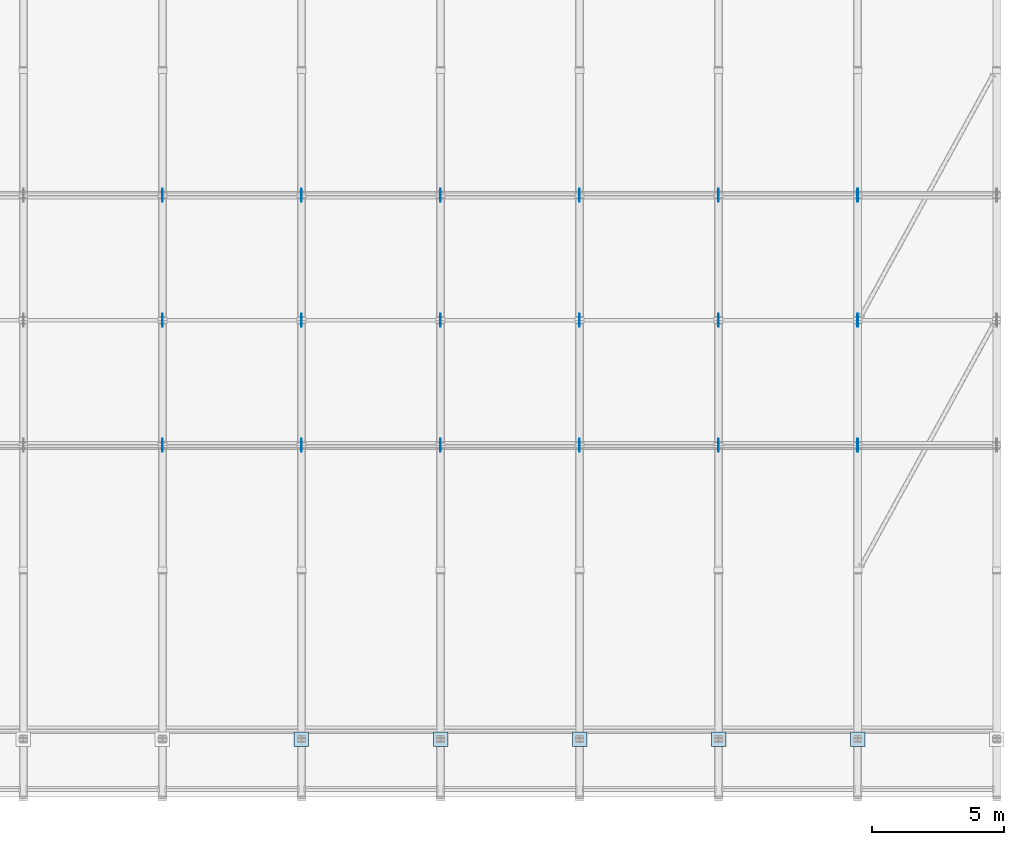
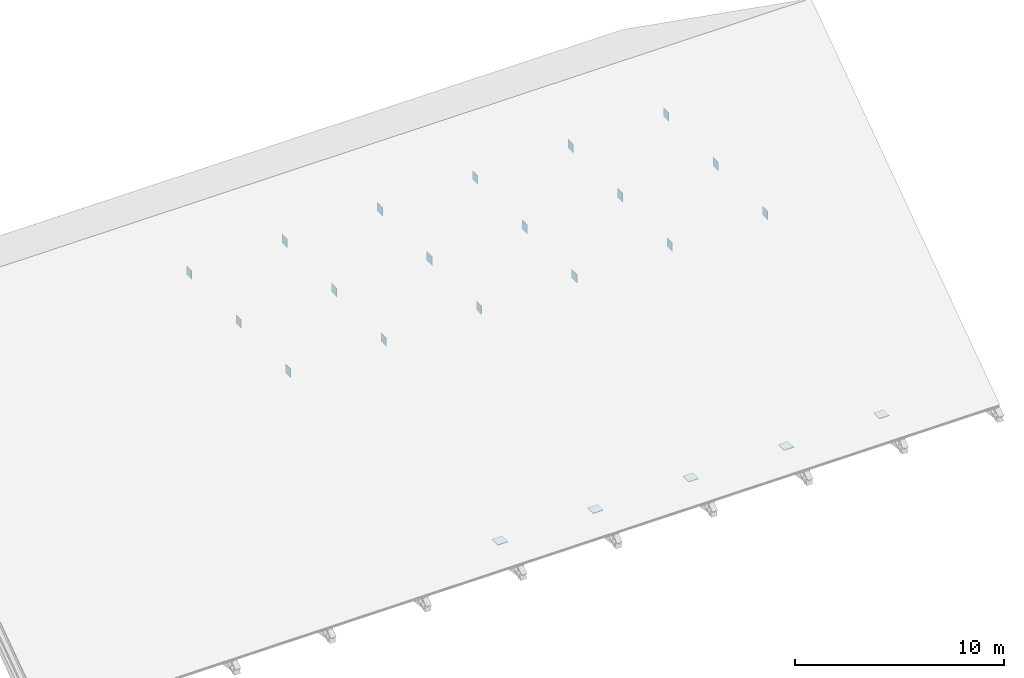
# One storey, part 35 of 57: 23 plates.
"""IFC4 building model written with IfcOpenShell, lengths in metres."""

from ifc_helpers import new_model, si_unit, direction, frame, origin, origin_2d, place, context, subcontext, project, spatial, rectangle, extrude, material, layer, layer_set, type_object, element, save


model = new_model("IFC4")

# Units and contexts
model_context = context("Model", 3, precision=1e-05, world=origin(), true_north=direction((0.0, 1.0)))
body_context = subcontext(model_context, "Body", "Model", "MODEL_VIEW")
ifc_project = project(units=[si_unit("LENGTHUNIT", "METRE"), si_unit("AREAUNIT", "SQUARE_METRE"), si_unit("VOLUMEUNIT", "CUBIC_METRE"), si_unit("PLANEANGLEUNIT", "RADIAN"), si_unit("MASSUNIT", "GRAM", prefix="KILO")], contexts=[model_context])

# Site, building, storey
site_placement = place(None, origin())
site = spatial("IfcSite", under=ifc_project, at=site_placement, CompositionType="ELEMENT")
building_placement = place(site_placement, origin())
building = spatial("IfcBuilding", under=site, at=building_placement, Name="Kelarvand Opera House", CompositionType="ELEMENT")
storey_placement = place(building_placement, frame((0.0, 0.0, 33.60009765625)))
storey = spatial("IfcBuildingStorey", under=building, at=storey_placement, Name="Roof", CompositionType="ELEMENT", Elevation=33.60009765625)

# Plates
ifc_material = material(Name="Steel S355", Category="steel")
ifc_layer_1 = layer(ifc_material, 0.035888671875, Name="Steel S355", Category="steel")
ifc_layer_set_1 = layer_set([ifc_layer_1], Name="Steel S355")
plate_type_1 = type_object("IfcPlateType", Name="Steel Truss Bearing Base Plate 36mm", PredefinedType="USERDEFINED", material=ifc_layer_set_1)
for number, where, z_axis, x_axis, name in (
    (1, (115.39990234375, 46.60009765625, -9.60009765625), (0.0, 0.0, 1.0), (1.0, 0.0, 0.0), "V1 Roof Truss Bearing Plate 6S"),
    (2, (120.679931640625, 46.60009765625, -9.60009765625), (0.0, 0.0, 1.0), (1.0, 0.0, 0.0), "V1 Roof Truss Bearing Plate 7S"),
    (3, (125.9599609375, 46.60009765625, -9.60009765625), (0.0, 0.0, 1.0), (1.0, 0.0, 0.0), "V1 Roof Truss Bearing Plate 8S"),
    (4, (131.239990234375, 46.60009765625, -9.60009765625), (0.0, 0.0, 1.0), (1.0, 0.0, 0.0), "V1 Roof Truss Bearing Plate 9S"),
    (5, (136.52001953125, 46.60009765625, -9.60009765625), (0.0, 0.0, 1.0), (1.0, 0.0, 0.0), "V1 Roof Truss Bearing Plate 10S"),
):
    element("IfcPlate", number, at=place(storey_placement, frame(where, z_axis=z_axis, x_axis=x_axis)), inside=storey, type_object=plate_type_1, Name=name, ObjectType="BASE PLATE", PredefinedType="USERDEFINED", context=body_context, shape_type="SweptSolid", body=[
        extrude(rectangle(XDim=0.550048828125, YDim=0.550048828125, at=origin_2d()), origin(), (0.0, 0.0, 1.0), 0.035888671875),
    ])
ifc_layer_2 = layer(ifc_material, 0.02392578125, Name="Steel S355", Category="steel")
ifc_layer_set_2 = layer_set([ifc_layer_2], Name="Steel S355")
plate_type_2 = type_object("IfcPlateType", Name="Steel Truss Gusset Plate 24mm", PredefinedType="SHEET", material=ifc_layer_set_2)
for number, where, z_axis, x_axis, name in (
    (6, (110.1201171875, 57.75, -4.800048828125), (0.0, 0.0, 1.0), (1.0, 0.0, 0.0), "Roof Truss Gusset Plate 41"),
    (7, (110.1201171875, 62.5, -4.800048828125), (0.0, 0.0, 1.0), (1.0, 0.0, 0.0), "Roof Truss Gusset Plate 42"),
    (8, (110.1201171875, 67.25, -4.800048828125), (0.0, 0.0, 1.0), (1.0, 0.0, 0.0), "Roof Truss Gusset Plate 43"),
    (9, (115.39990234375, 57.75, -4.800048828125), (0.0, 0.0, 1.0), (1.0, 0.0, 0.0), "Roof Truss Gusset Plate 44"),
    (10, (115.39990234375, 62.5, -4.800048828125), (0.0, 0.0, 1.0), (1.0, 0.0, 0.0), "Roof Truss Gusset Plate 45"),
    (11, (115.39990234375, 67.25, -4.800048828125), (0.0, 0.0, 1.0), (1.0, 0.0, 0.0), "Roof Truss Gusset Plate 46"),
    (12, (120.679931640625, 57.75, -4.800048828125), (0.0, 0.0, 1.0), (1.0, 0.0, 0.0), "Roof Truss Gusset Plate 47"),
    (13, (120.679931640625, 62.5, -4.800048828125), (0.0, 0.0, 1.0), (1.0, 0.0, 0.0), "Roof Truss Gusset Plate 48"),
    (14, (120.679931640625, 67.25, -4.800048828125), (0.0, 0.0, 1.0), (1.0, 0.0, 0.0), "Roof Truss Gusset Plate 49"),
    (15, (125.9599609375, 57.75, -4.800048828125), (0.0, 0.0, 1.0), (1.0, 0.0, 0.0), "Roof Truss Gusset Plate 50"),
    (16, (125.9599609375, 62.5, -4.800048828125), (0.0, 0.0, 1.0), (1.0, 0.0, 0.0), "Roof Truss Gusset Plate 51"),
    (17, (125.9599609375, 67.25, -4.800048828125), (0.0, 0.0, 1.0), (1.0, 0.0, 0.0), "Roof Truss Gusset Plate 52"),
    (18, (131.239990234375, 57.75, -4.800048828125), (0.0, 0.0, 1.0), (1.0, 0.0, 0.0), "Roof Truss Gusset Plate 53"),
    (19, (131.239990234375, 62.5, -4.800048828125), (0.0, 0.0, 1.0), (1.0, 0.0, 0.0), "Roof Truss Gusset Plate 54"),
    (20, (131.239990234375, 67.25, -4.800048828125), (0.0, 0.0, 1.0), (1.0, 0.0, 0.0), "Roof Truss Gusset Plate 55"),
    (21, (136.52001953125, 57.75, -4.800048828125), (0.0, 0.0, 1.0), (1.0, 0.0, 0.0), "Roof Truss Gusset Plate 56"),
    (22, (136.52001953125, 62.5, -4.800048828125), (0.0, 0.0, 1.0), (1.0, 0.0, 0.0), "Roof Truss Gusset Plate 57"),
    (23, (136.52001953125, 67.25, -4.800048828125), (0.0, 0.0, 1.0), (1.0, 0.0, 0.0), "Roof Truss Gusset Plate 58"),
):
    element("IfcPlate", number, at=place(storey_placement, frame(where, z_axis=z_axis, x_axis=x_axis)), inside=storey, type_object=plate_type_2, Name=name, PredefinedType="SHEET", context=body_context, shape_type="SweptSolid", body=[
        extrude(rectangle(XDim=0.02392578125, YDim=0.5, at=origin_2d()), origin(), (0.0, 0.0, 1.0), 0.5),
    ])

save(model, "model.ifc")
